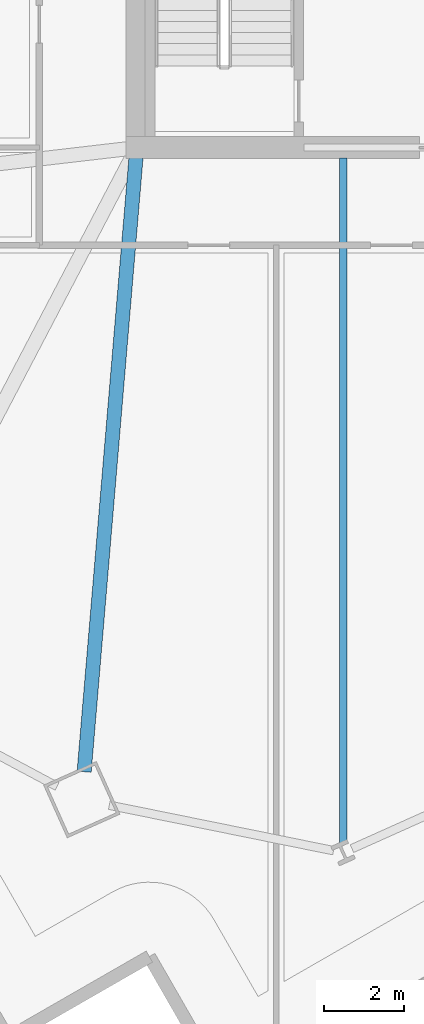
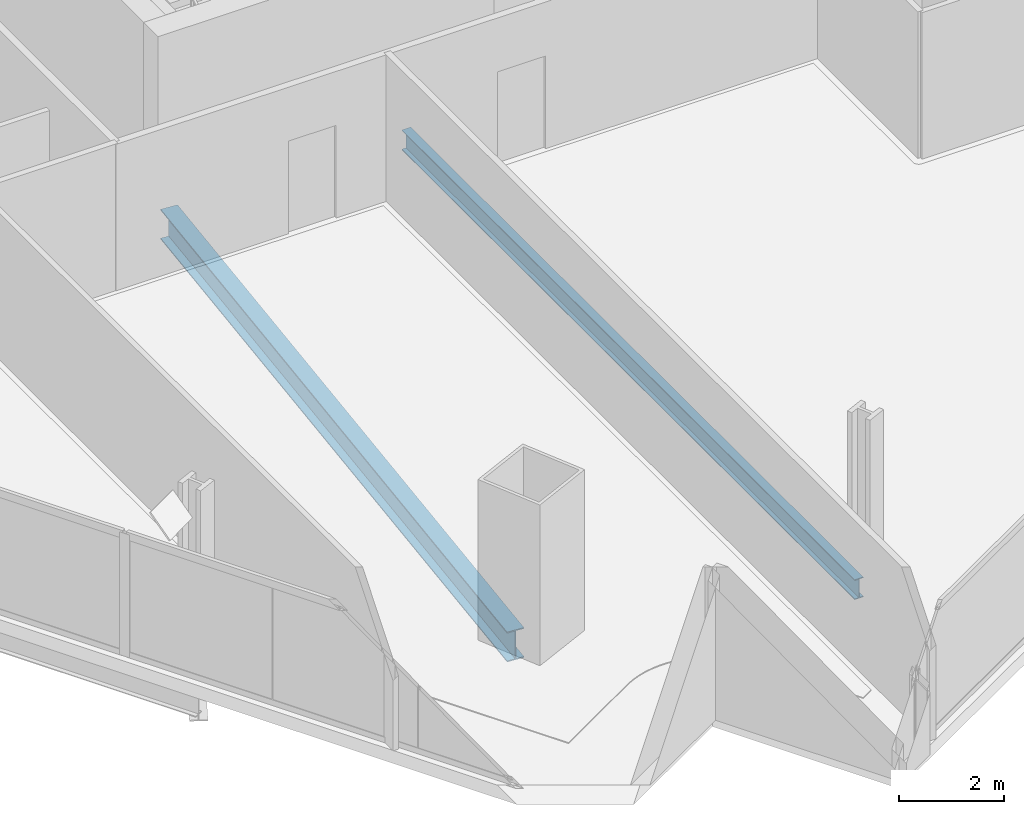
# One storey, part 3 of 33: 2 beams.
"""IFC4 building model written with IfcOpenShell, lengths in metres."""

import ifcopenshell
import ifcopenshell.guid

model = None  # the IFC model being written
_history = None  # IfcOwnerHistory: only IFC2X3 demands one
_inside = {}  # id of a spatial element -> (the spatial element, [elements in it])
_under = {}  # id of a project, library or spatial element -> (it, [spatial elements below it])
_declared = {}  # id of a project -> (the project, [libraries it declares])
_typed = {}  # id of a type object -> (the type object, [elements of that type])
_made_of = {}  # id of a material, layer set ... -> (it, [elements and type objects made of it])


def new_model(schema):
    """Start an empty IFC model of exactly this schema.

    Asked for "IFC4X3", IfcOpenShell would pick the latest addendum, in which some entities
    have other attributes; the version numbers below select the first issue.
    IFC2X3 requires an IfcOwnerHistory on every rooted entity: one is made here for all.
    """
    global model, _history
    if schema == "IFC4X3":
        model = ifcopenshell.file(schema_version=(4, 3, 0, 0))
    else:
        model = ifcopenshell.file(schema=schema)
    _inside.clear()
    _under.clear()
    _declared.clear()
    _typed.clear()
    _made_of.clear()
    _history = None
    if model.schema == "IFC2X3":
        org = make("IfcOrganization", Name="unknown")
        user = make(
            "IfcPersonAndOrganization",
            ThePerson=make("IfcPerson", FamilyName="unknown"),
            TheOrganization=org,
        )
        app = make(
            "IfcApplication",
            ApplicationDeveloper=org,
            Version="unknown",
            ApplicationFullName="unknown",
            ApplicationIdentifier="unknown",
        )
        _history = make(
            "IfcOwnerHistory",
            OwningUser=user,
            OwningApplication=app,
            ChangeAction="ADDED",
            CreationDate=0,
        )
    return model


def make(cls, **values):
    """One entity of the class cls with the attributes given. An attribute that is None is left unset."""
    return model.create_entity(
        cls, **{name: value for name, value in values.items() if value is not None}
    )


def rooted(cls, **values):
    """An entity with a GlobalId (a new one), such as an element, a storey or a relation."""
    return make(cls, GlobalId=ifcopenshell.guid.new(), OwnerHistory=_history, **values)


def si_unit(unit_type, name, prefix=None):
    """IfcSIUnit, for example si_unit("LENGTHUNIT", "METRE", prefix="MILLI")."""
    return make("IfcSIUnit", UnitType=unit_type, Prefix=prefix, Name=name)


def assignment(units):
    """IfcUnitAssignment: the units of a project."""
    return None if units is None else make("IfcUnitAssignment", Units=units)


def point(xyz):
    """IfcCartesianPoint."""
    return None if xyz is None else make("IfcCartesianPoint", Coordinates=xyz)


def direction(xyz):
    """IfcDirection."""
    return None if xyz is None else make("IfcDirection", DirectionRatios=xyz)


def frame(location, z_axis=None, x_axis=None):
    """IfcAxis2Placement3D, a coordinate frame: its origin and axes. An axis left out is left unset."""
    return make(
        "IfcAxis2Placement3D",
        Location=point(location),
        Axis=direction(z_axis),
        RefDirection=direction(x_axis),
    )


def frame_2d(location, x_axis=None):
    """IfcAxis2Placement2D, a coordinate frame in the plane: its origin and x axis."""
    return make(
        "IfcAxis2Placement2D", Location=point(location), RefDirection=direction(x_axis)
    )


def origin():
    """The frame at (0, 0, 0) with its axes left unset."""
    return frame((0.0, 0.0, 0.0))


def origin_2d():
    """The frame at (0, 0) in the plane with its x axis left unset."""
    return frame_2d((0.0, 0.0))


def place(relative_to, where):
    """IfcLocalPlacement: puts the frame where relative to a parent placement (None: the world)."""
    return make(
        "IfcLocalPlacement", PlacementRelTo=relative_to, RelativePlacement=where
    )


def context(
    kind, dimensions, precision=None, world=None, true_north=None, identifier=None
):
    """IfcGeometricRepresentationContext, for example the 3D "Model" context."""
    return make(
        "IfcGeometricRepresentationContext",
        ContextIdentifier=identifier,
        ContextType=kind,
        CoordinateSpaceDimension=dimensions,
        Precision=precision,
        WorldCoordinateSystem=world,
        TrueNorth=true_north,
    )


def subcontext(parent, identifier, kind, view, scale=None):
    """IfcGeometricRepresentationSubContext, for example "Body" below "Model"."""
    return make(
        "IfcGeometricRepresentationSubContext",
        ContextIdentifier=identifier,
        ContextType=kind,
        ParentContext=parent,
        TargetScale=scale,
        TargetView=view,
    )


def project(units=None, contexts=None):
    """IfcProject with its units and contexts."""
    return rooted(
        "IfcProject",
        Name="project",
        RepresentationContexts=contexts,
        UnitsInContext=assignment(units),
    )


def spatial(cls, under=None, at=None, **own):
    """A site, building, storey or space (cls), placed at a placement, below another one or the project."""
    s = rooted(cls, ObjectPlacement=at, **own)
    if under is not None:
        _under.setdefault(under.id(), (under, []))[1].append(s)
    return s


def profile(cls, at=None, kind="AREA", **sizes):
    """A parametric profile (cls). Its sizes go by their IFC names, for example OverallWidth=200.0."""
    return make(cls, ProfileType=kind, Position=at, **sizes)


def i_section(**sizes):
    """IfcIShapeProfileDef."""
    return profile("IfcIShapeProfileDef", **sizes)


def extrude(swept, where, along, depth):
    """IfcExtrudedAreaSolid: the profile swept, set in the frame where, extruded along a direction by depth."""
    return make(
        "IfcExtrudedAreaSolid",
        SweptArea=swept,
        Position=where,
        ExtrudedDirection=direction(along),
        Depth=depth,
    )


def shape(context_of_items, identifier, shape_type, items):
    """IfcShapeRepresentation: the items that make up one representation, for example the "Body"."""
    return make(
        "IfcShapeRepresentation",
        ContextOfItems=context_of_items,
        RepresentationIdentifier=identifier,
        RepresentationType=shape_type,
        Items=items,
    )


def material(Name=None, Category=None):
    """IfcMaterial."""
    return make("IfcMaterial", Name=Name, Category=Category)


def material_profile(
    of_material, cross_section, Name=None, Category=None, Priority=None
):
    """IfcMaterialProfile: a cross section and its material."""
    return make(
        "IfcMaterialProfile",
        Name=Name,
        Material=of_material,
        Profile=cross_section,
        Priority=Priority,
        Category=Category,
    )


def profile_set(profiles, Name=None, composite=None):
    """IfcMaterialProfileSet."""
    return make(
        "IfcMaterialProfileSet",
        Name=Name,
        MaterialProfiles=profiles,
        CompositeProfile=composite,
    )


def made_of(thing, what):
    """Note that an element or type object is made of a material, layer set ...; save() writes the relation."""
    if what is not None:
        _made_of.setdefault(what.id(), (what, []))[1].append(thing)
    return thing


def type_object(cls, material=None, **own):
    """A type object (cls), such as IfcWallType, which elements share."""
    return made_of(rooted(cls, **own), material)


def element(
    cls,
    number,
    at=None,
    inside=None,
    cuts=None,
    type_object=None,
    material=None,
    context=None,
    identifier="Body",
    shape_type=None,
    held_by="IfcProductDefinitionShape",
    body=None,
    shapes=None,
    **own,
):
    """One element of the class cls, such as IfcWall. Its Tag is "e" and its number.

    at: its placement. inside: the storey or other place that contains it. cuts: it is an
    opening in that element (IfcRelVoidsElement). A single representation is given by context,
    identifier, shape_type and body (its items); several are given by shapes. held_by: the class
    of the entity that holds the representations. save() writes the other relations.
    """
    e = rooted(cls, Tag="e%d" % number, ObjectPlacement=at, **own)
    if body is not None:
        shapes = [shape(context, identifier, shape_type, body)]
    if shapes is not None:
        e.Representation = make(held_by, Representations=shapes)
    if inside is not None:
        _inside.setdefault(inside.id(), (inside, []))[1].append(e)
    if cuts is not None:
        rooted(
            "IfcRelVoidsElement", RelatingBuildingElement=cuts, RelatedOpeningElement=e
        )
    if type_object is not None:
        _typed.setdefault(type_object.id(), (type_object, []))[1].append(e)
    return made_of(e, material)


def aggregate(whole, parts):
    """IfcRelAggregates: a whole, such as a stair, and the parts it consists of."""
    return rooted("IfcRelAggregates", RelatingObject=whole, RelatedObjects=parts)


def save(model, path):
    """Write the relations noted so far, then the file.

    IfcRelAggregates (storeys below a building ...), IfcRelContainedInSpatialStructure (elements
    in a storey), IfcRelDefinesByType, IfcRelAssociatesMaterial and IfcRelDeclares: one each for
    every whole, place, type object, material and project.
    """
    for whole, parts in _under.values():
        aggregate(whole, parts)
    for where, things in _inside.values():
        rooted(
            "IfcRelContainedInSpatialStructure",
            RelatedElements=things,
            RelatingStructure=where,
        )
    for kind, things in _typed.values():
        rooted("IfcRelDefinesByType", RelatedObjects=things, RelatingType=kind)
    for what, things in _made_of.values():
        rooted("IfcRelAssociatesMaterial", RelatedObjects=things, RelatingMaterial=what)
    for by, libraries in _declared.values():
        rooted("IfcRelDeclares", RelatingContext=by, RelatedDefinitions=libraries)
    model.write(path)


model = new_model("IFC4")

# Units and contexts
model_context = context("Model", 3, precision=1e-05, world=origin(), true_north=direction((0.0, 1.0)))
body_context = subcontext(model_context, "Body", "Model", "MODEL_VIEW")
ifc_project = project(units=[si_unit("LENGTHUNIT", "METRE"), si_unit("AREAUNIT", "SQUARE_METRE"), si_unit("VOLUMEUNIT", "CUBIC_METRE"), si_unit("PLANEANGLEUNIT", "RADIAN"), si_unit("MASSUNIT", "GRAM", prefix="KILO")], contexts=[model_context])

# Site, building, storey
site_placement = place(None, origin())
site = spatial("IfcSite", under=ifc_project, at=site_placement, CompositionType="ELEMENT")
building_placement = place(site_placement, origin())
building = spatial("IfcBuilding", under=site, at=building_placement, Name="Haldenkirk Collegiate Tower", CompositionType="ELEMENT")
storey_placement = place(building_placement, frame((0.0, 0.0, 127.949951171875)))
storey = spatial("IfcBuildingStorey", under=building, at=storey_placement, Name="L31", CompositionType="ELEMENT", Elevation=127.949951171875)

# Beams
ifc_material = material(Name="Steel ASTM A992 Grade 50", Category="steel")
ifc_material_profile_1 = material_profile(ifc_material, i_section(OverallWidth=0.35498046875, OverallDepth=0.696044921875, WebThickness=0.015380859375, FlangeThickness=0.02490234375, at=origin_2d()), Name="W27X146")
ifc_profile_set_1 = profile_set([ifc_material_profile_1], Name="Steel ASTM A992 Grade 50")
beam_type_1 = type_object("IfcBeamType", Name="BM-GIRDER-W27X146", PredefinedType="BEAM", material=ifc_profile_set_1)
beam_1_placement = place(storey_placement, frame((25.67578125, 2.3203125, -0.64794921875), z_axis=(0.084153524607, 0.996452800837, 0.0), x_axis=(-0.996452800837, 0.084153524607, 0.0)))
element("IfcBeam", 1, at=beam_1_placement, inside=storey, type_object=beam_type_1, Name="L31 primary floor girder 01", PredefinedType="BEAM", context=body_context, shape_type="SweptSolid", body=[
    extrude(i_section(OverallWidth=0.35498046875, OverallDepth=0.696044921875, WebThickness=0.015380859375, FlangeThickness=0.02490234375, at=origin_2d()), origin(), (0.0, 0.0, 1.0), 15.48046875),
])
ifc_material_profile_2 = material_profile(ifc_material, i_section(OverallWidth=0.19189453125, OverallDepth=0.462890625, WebThickness=0.010498046875, FlangeThickness=0.017578125, at=origin_2d()), Name="W18X60")
ifc_profile_set_2 = profile_set([ifc_material_profile_2], Name="Steel ASTM A992 Grade 50")
beam_type_2 = type_object("IfcBeamType", Name="BM-JOIST-W18X60", PredefinedType="JOIST", material=ifc_profile_set_2)
beam_2_placement = place(storey_placement, frame((32.181396484375, 0.53271484375, -0.531494140625), z_axis=(0.0, 1.0, 0.0), x_axis=(-1.0, 0.0, 0.0)))
element("IfcBeam", 2, at=beam_2_placement, inside=storey, type_object=beam_type_2, Name="L31 composite floor joist 05", PredefinedType="JOIST", context=body_context, shape_type="SweptSolid", body=[
    extrude(i_section(OverallWidth=0.19189453125, OverallDepth=0.462890625, WebThickness=0.010498046875, FlangeThickness=0.017578125, at=origin_2d()), origin(), (0.0, 0.0, 1.0), 17.21240234375),
])

save(model, "model.ifc")
